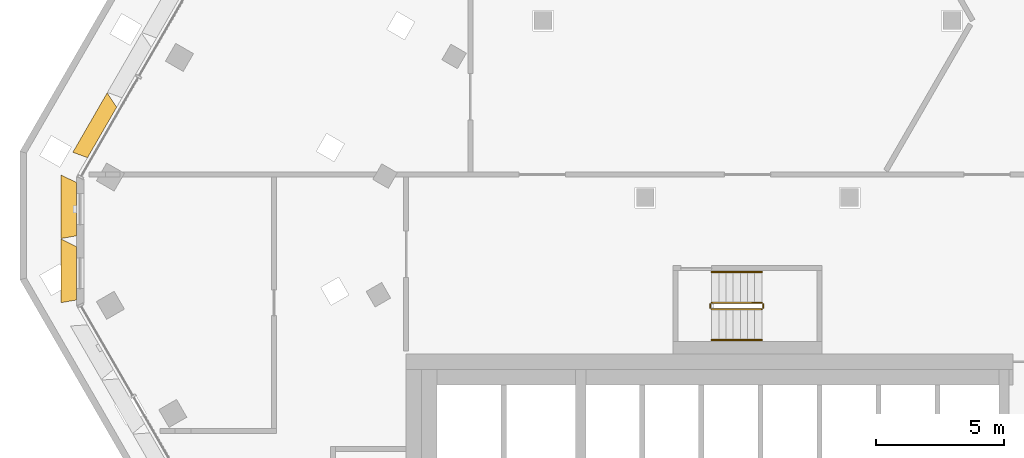
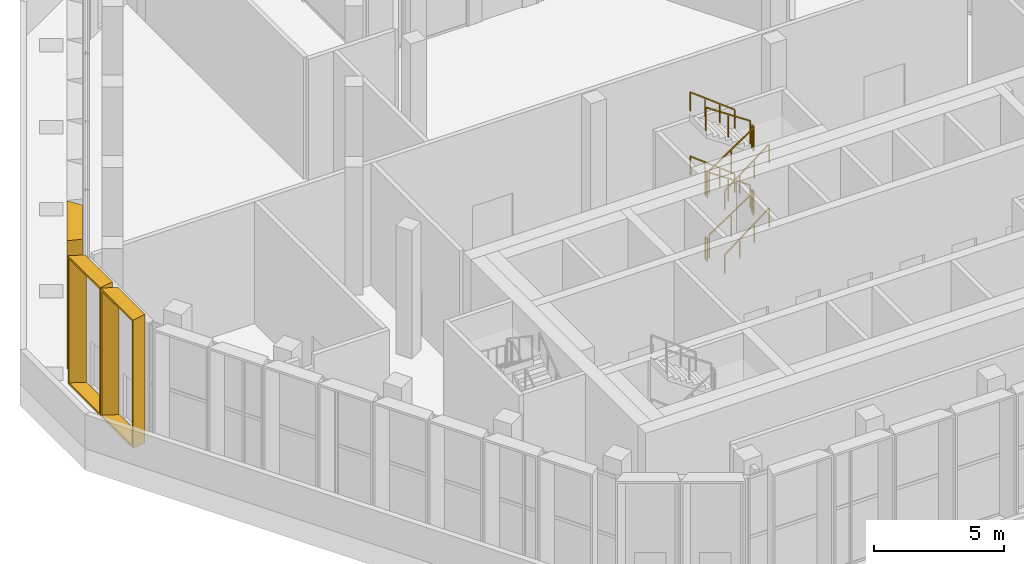
# One storey, part 20 of 23: 12 railings, 3 shading devices.
"""IFC4 building model written with IfcOpenShell, lengths in metres."""

import ifcopenshell
import ifcopenshell.guid

model = None  # the IFC model being written
_history = None  # IfcOwnerHistory: only IFC2X3 demands one
_inside = {}  # id of a spatial element -> (the spatial element, [elements in it])
_under = {}  # id of a project, library or spatial element -> (it, [spatial elements below it])
_declared = {}  # id of a project -> (the project, [libraries it declares])
_typed = {}  # id of a type object -> (the type object, [elements of that type])
_made_of = {}  # id of a material, layer set ... -> (it, [elements and type objects made of it])


def new_model(schema):
    """Start an empty IFC model of exactly this schema.

    Asked for "IFC4X3", IfcOpenShell would pick the latest addendum, in which some entities
    have other attributes; the version numbers below select the first issue.
    IFC2X3 requires an IfcOwnerHistory on every rooted entity: one is made here for all.
    """
    global model, _history
    if schema == "IFC4X3":
        model = ifcopenshell.file(schema_version=(4, 3, 0, 0))
    else:
        model = ifcopenshell.file(schema=schema)
    _inside.clear()
    _under.clear()
    _declared.clear()
    _typed.clear()
    _made_of.clear()
    _history = None
    if model.schema == "IFC2X3":
        org = make("IfcOrganization", Name="unknown")
        user = make(
            "IfcPersonAndOrganization",
            ThePerson=make("IfcPerson", FamilyName="unknown"),
            TheOrganization=org,
        )
        app = make(
            "IfcApplication",
            ApplicationDeveloper=org,
            Version="unknown",
            ApplicationFullName="unknown",
            ApplicationIdentifier="unknown",
        )
        _history = make(
            "IfcOwnerHistory",
            OwningUser=user,
            OwningApplication=app,
            ChangeAction="ADDED",
            CreationDate=0,
        )
    return model


def make(cls, **values):
    """One entity of the class cls with the attributes given. An attribute that is None is left unset."""
    return model.create_entity(
        cls, **{name: value for name, value in values.items() if value is not None}
    )


def entity(cls, *values):
    """Any entity or typed value of the class cls, its attributes in the order of the schema. None: left unset."""
    e = model.create_entity(cls)
    for i, value in enumerate(values):
        if value is not None:
            e[i] = value
    return e


def rooted(cls, **values):
    """An entity with a GlobalId (a new one), such as an element, a storey or a relation."""
    return make(cls, GlobalId=ifcopenshell.guid.new(), OwnerHistory=_history, **values)


def si_unit(unit_type, name, prefix=None):
    """IfcSIUnit, for example si_unit("LENGTHUNIT", "METRE", prefix="MILLI")."""
    return make("IfcSIUnit", UnitType=unit_type, Prefix=prefix, Name=name)


def assignment(units):
    """IfcUnitAssignment: the units of a project."""
    return None if units is None else make("IfcUnitAssignment", Units=units)


def point(xyz):
    """IfcCartesianPoint."""
    return None if xyz is None else make("IfcCartesianPoint", Coordinates=xyz)


def direction(xyz):
    """IfcDirection."""
    return None if xyz is None else make("IfcDirection", DirectionRatios=xyz)


def frame(location, z_axis=None, x_axis=None):
    """IfcAxis2Placement3D, a coordinate frame: its origin and axes. An axis left out is left unset."""
    return make(
        "IfcAxis2Placement3D",
        Location=point(location),
        Axis=direction(z_axis),
        RefDirection=direction(x_axis),
    )


def frame_2d(location, x_axis=None):
    """IfcAxis2Placement2D, a coordinate frame in the plane: its origin and x axis."""
    return make(
        "IfcAxis2Placement2D", Location=point(location), RefDirection=direction(x_axis)
    )


def origin():
    """The frame at (0, 0, 0) with its axes left unset."""
    return frame((0.0, 0.0, 0.0))


def origin_2d():
    """The frame at (0, 0) in the plane with its x axis left unset."""
    return frame_2d((0.0, 0.0))


def place(relative_to, where):
    """IfcLocalPlacement: puts the frame where relative to a parent placement (None: the world)."""
    return make(
        "IfcLocalPlacement", PlacementRelTo=relative_to, RelativePlacement=where
    )


def context(
    kind, dimensions, precision=None, world=None, true_north=None, identifier=None
):
    """IfcGeometricRepresentationContext, for example the 3D "Model" context."""
    return make(
        "IfcGeometricRepresentationContext",
        ContextIdentifier=identifier,
        ContextType=kind,
        CoordinateSpaceDimension=dimensions,
        Precision=precision,
        WorldCoordinateSystem=world,
        TrueNorth=true_north,
    )


def subcontext(parent, identifier, kind, view, scale=None):
    """IfcGeometricRepresentationSubContext, for example "Body" below "Model"."""
    return make(
        "IfcGeometricRepresentationSubContext",
        ContextIdentifier=identifier,
        ContextType=kind,
        ParentContext=parent,
        TargetScale=scale,
        TargetView=view,
    )


def project(units=None, contexts=None):
    """IfcProject with its units and contexts."""
    return rooted(
        "IfcProject",
        Name="project",
        RepresentationContexts=contexts,
        UnitsInContext=assignment(units),
    )


def spatial(cls, under=None, at=None, **own):
    """A site, building, storey or space (cls), placed at a placement, below another one or the project."""
    s = rooted(cls, ObjectPlacement=at, **own)
    if under is not None:
        _under.setdefault(under.id(), (under, []))[1].append(s)
    return s


def profile(cls, at=None, kind="AREA", **sizes):
    """A parametric profile (cls). Its sizes go by their IFC names, for example OverallWidth=200.0."""
    return make(cls, ProfileType=kind, Position=at, **sizes)


def rectangle(**sizes):
    """IfcRectangleProfileDef."""
    return profile("IfcRectangleProfileDef", **sizes)


def extrude(swept, where, along, depth):
    """IfcExtrudedAreaSolid: the profile swept, set in the frame where, extruded along a direction by depth."""
    return make(
        "IfcExtrudedAreaSolid",
        SweptArea=swept,
        Position=where,
        ExtrudedDirection=direction(along),
        Depth=depth,
    )


def shape(context_of_items, identifier, shape_type, items):
    """IfcShapeRepresentation: the items that make up one representation, for example the "Body"."""
    return make(
        "IfcShapeRepresentation",
        ContextOfItems=context_of_items,
        RepresentationIdentifier=identifier,
        RepresentationType=shape_type,
        Items=items,
    )


def source(mapping_origin, context_of_items, identifier, shape_type, items):
    """IfcRepresentationMap: a shape defined once, which mapped items show again and again."""
    return make(
        "IfcRepresentationMap",
        MappingOrigin=mapping_origin,
        MappedRepresentation=shape(context_of_items, identifier, shape_type, items),
    )


def transform(
    local_origin,
    x_axis=None,
    y_axis=None,
    z_axis=None,
    scale=None,
    scale2=None,
    scale3=None,
    uniform=True,
):
    """IfcCartesianTransformationOperator3D, or its non-uniform kind. x_axis, y_axis, z_axis: its Axis1, 2, 3."""
    if uniform:
        return make(
            "IfcCartesianTransformationOperator3D",
            Axis1=direction(x_axis),
            Axis2=direction(y_axis),
            LocalOrigin=point(local_origin),
            Scale=scale,
            Axis3=direction(z_axis),
        )
    return make(
        "IfcCartesianTransformationOperator3DnonUniform",
        Axis1=direction(x_axis),
        Axis2=direction(y_axis),
        LocalOrigin=point(local_origin),
        Scale=scale,
        Axis3=direction(z_axis),
        Scale2=scale2,
        Scale3=scale3,
    )


def mapped(mapping_source, mapping_target):
    """IfcMappedItem: shows the shape of a source again, moved by a transform."""
    return make(
        "IfcMappedItem", MappingSource=mapping_source, MappingTarget=mapping_target
    )


def material(Name=None, Category=None):
    """IfcMaterial."""
    return make("IfcMaterial", Name=Name, Category=Category)


def made_of(thing, what):
    """Note that an element or type object is made of a material, layer set ...; save() writes the relation."""
    if what is not None:
        _made_of.setdefault(what.id(), (what, []))[1].append(thing)
    return thing


def type_object(cls, material=None, **own):
    """A type object (cls), such as IfcWallType, which elements share."""
    return made_of(rooted(cls, **own), material)


def type_shapes(of_type, sources):
    """Give a type object the sources (RepresentationMaps) that its elements show as mapped items."""
    of_type.RepresentationMaps = sources


def element(
    cls,
    number,
    at=None,
    inside=None,
    cuts=None,
    type_object=None,
    material=None,
    context=None,
    identifier="Body",
    shape_type=None,
    held_by="IfcProductDefinitionShape",
    body=None,
    shapes=None,
    **own,
):
    """One element of the class cls, such as IfcWall. Its Tag is "e" and its number.

    at: its placement. inside: the storey or other place that contains it. cuts: it is an
    opening in that element (IfcRelVoidsElement). A single representation is given by context,
    identifier, shape_type and body (its items); several are given by shapes. held_by: the class
    of the entity that holds the representations. save() writes the other relations.
    """
    e = rooted(cls, Tag="e%d" % number, ObjectPlacement=at, **own)
    if body is not None:
        shapes = [shape(context, identifier, shape_type, body)]
    if shapes is not None:
        e.Representation = make(held_by, Representations=shapes)
    if inside is not None:
        _inside.setdefault(inside.id(), (inside, []))[1].append(e)
    if cuts is not None:
        rooted(
            "IfcRelVoidsElement", RelatingBuildingElement=cuts, RelatedOpeningElement=e
        )
    if type_object is not None:
        _typed.setdefault(type_object.id(), (type_object, []))[1].append(e)
    return made_of(e, material)


def aggregate(whole, parts):
    """IfcRelAggregates: a whole, such as a stair, and the parts it consists of."""
    return rooted("IfcRelAggregates", RelatingObject=whole, RelatedObjects=parts)


def save(model, path):
    """Write the relations noted so far, then the file.

    IfcRelAggregates (storeys below a building ...), IfcRelContainedInSpatialStructure (elements
    in a storey), IfcRelDefinesByType, IfcRelAssociatesMaterial and IfcRelDeclares: one each for
    every whole, place, type object, material and project.
    """
    for whole, parts in _under.values():
        aggregate(whole, parts)
    for where, things in _inside.values():
        rooted(
            "IfcRelContainedInSpatialStructure",
            RelatedElements=things,
            RelatingStructure=where,
        )
    for kind, things in _typed.values():
        rooted("IfcRelDefinesByType", RelatedObjects=things, RelatingType=kind)
    for what, things in _made_of.values():
        rooted("IfcRelAssociatesMaterial", RelatedObjects=things, RelatingMaterial=what)
    for by, libraries in _declared.values():
        rooted("IfcRelDeclares", RelatingContext=by, RelatedDefinitions=libraries)
    model.write(path)


model = new_model("IFC4")

# Units and contexts
model_context = context("Model", 3, precision=1e-05, world=origin(), true_north=direction((0.0, 1.0)))
body_context = subcontext(model_context, "Body", "Model", "MODEL_VIEW")
ifc_project = project(units=[si_unit("LENGTHUNIT", "METRE"), si_unit("AREAUNIT", "SQUARE_METRE"), si_unit("VOLUMEUNIT", "CUBIC_METRE"), si_unit("PLANEANGLEUNIT", "RADIAN"), si_unit("MASSUNIT", "GRAM", prefix="KILO")], contexts=[model_context])

# Site, building, storey
site_placement = place(None, origin())
site = spatial("IfcSite", under=ifc_project, at=site_placement, CompositionType="ELEMENT")
building_placement = place(site_placement, origin())
building = spatial("IfcBuilding", under=site, at=building_placement, Name="Beryl Residences", CompositionType="ELEMENT")
storey_placement = place(building_placement, frame((0.0, 0.0, 157.199951171875)))
storey = spatial("IfcBuildingStorey", under=building, at=storey_placement, Name="L48", CompositionType="ELEMENT", Elevation=157.199951171875)

# Shading devices
ifc_material_1 = material(Name="Aluminium pale anodised", Category="aluminium")
shading_device_type_1 = type_object("IfcShadingDeviceType", Name="FR250-60B-H60 OUTER SKIN frame 600 mm deep, splay 26/10 deg, 2500 x 6000 mm cell", PredefinedType="USERDEFINED", material=ifc_material_1)
cartesian_point_1 = entity("IfcCartesianPoint", [-1.04052734375, 0.0])
cartesian_point_2 = entity("IfcCartesianPoint", [-0.951416015625, 0.10009765625])
cartesian_point_3 = entity("IfcCartesianPoint", [-1.333251953125, 0.0])
cartesian_point_4 = entity("IfcCartesianPoint", [-1.244140625, 0.10009765625])
shared_shape_1 = source(origin(), body_context, "Body", "SweptSolid", [
    entity("IfcExtrudedAreaSolidTapered", entity("IfcArbitraryProfileDefWithVoids", "AREA", None, entity("IfcPolyline", [cartesian_point_1, entity("IfcCartesianPoint", [1.04052734375, 0.0]), entity("IfcCartesianPoint", [1.04052734375, 6.0]), entity("IfcCartesianPoint", [-1.04052734375, 6.0]), cartesian_point_1]), [entity("IfcPolyline", [cartesian_point_2, entity("IfcCartesianPoint", [0.959228515625, 0.10009765625]), entity("IfcCartesianPoint", [0.959228515625, 5.89990234375]), entity("IfcCartesianPoint", [-0.951416015625, 5.89990234375]), cartesian_point_2])]), entity("IfcAxis2Placement3D", entity("IfcCartesianPoint", [0.0, 0.0, 0.0]), entity("IfcDirection", [0.0, 1.0, 0.0]), entity("IfcDirection", [-1.0, 0.0, 0.0])), entity("IfcDirection", [0.0, 0.0, 1.0]), 0.60009765625, entity("IfcArbitraryProfileDefWithVoids", "AREA", None, entity("IfcPolyline", [cartesian_point_3, entity("IfcCartesianPoint", [1.146240234375, 0.0]), entity("IfcCartesianPoint", [1.146240234375, 6.0]), entity("IfcCartesianPoint", [-1.333251953125, 6.0]), cartesian_point_3]), [entity("IfcPolyline", [cartesian_point_4, entity("IfcCartesianPoint", [1.06494140625, 0.10009765625]), entity("IfcCartesianPoint", [1.06494140625, 5.89990234375]), entity("IfcCartesianPoint", [-1.244140625, 5.89990234375]), cartesian_point_4])])),
])
type_shapes(shading_device_type_1, [shared_shape_1])
for number, where, z_axis, x_axis, name in (
    (1, (-26.154052734375, 0.64990234375, 0.0), (0.0, 0.0, 1.0), (0.0, 1.0, 0.0), "FR250-60B-H60 frame L48 NW-SW 1"),
    (2, (-26.154052734375, -1.85009765625, 0.0), (0.0, 0.0, 1.0), (0.0, 1.0, 0.0), "FR250-60B-H60 frame L48 NW-SW 2"),
):
    element("IfcShadingDevice", number, at=place(storey_placement, frame(where, z_axis=z_axis, x_axis=x_axis)), inside=storey, type_object=shading_device_type_1, Name=name, ObjectType="OUTER SKIN", PredefinedType="USERDEFINED", context=body_context, shape_type="MappedRepresentation", body=[
        mapped(shared_shape_1, transform((0.0, 0.0, 0.0))),
    ])
ifc_material_2 = material(Name="Aluminium pale anodised", Category="aluminium")
shading_device_type_2 = type_object("IfcShadingDeviceType", Name="FR269-60B-H60 OUTER SKIN frame 600 mm deep, splay 26/10 deg, 2690 x 6000 mm cell", PredefinedType="USERDEFINED", material=ifc_material_2)
cartesian_point_5 = entity("IfcCartesianPoint", [-1.135498046875, 0.0])
cartesian_point_6 = entity("IfcCartesianPoint", [-1.04638671875, 0.10009765625])
cartesian_point_7 = entity("IfcCartesianPoint", [-1.42822265625, 0.0])
cartesian_point_8 = entity("IfcCartesianPoint", [-1.339111328125, 0.10009765625])
shared_shape_2 = source(origin(), body_context, "Body", "SweptSolid", [
    entity("IfcExtrudedAreaSolidTapered", entity("IfcArbitraryProfileDefWithVoids", "AREA", None, entity("IfcPolyline", [cartesian_point_5, entity("IfcCartesianPoint", [1.135498046875, 0.0]), entity("IfcCartesianPoint", [1.135498046875, 6.0]), entity("IfcCartesianPoint", [-1.135498046875, 6.0]), cartesian_point_5]), [entity("IfcPolyline", [cartesian_point_6, entity("IfcCartesianPoint", [1.05419921875, 0.10009765625]), entity("IfcCartesianPoint", [1.05419921875, 5.89990234375]), entity("IfcCartesianPoint", [-1.04638671875, 5.89990234375]), cartesian_point_6])]), entity("IfcAxis2Placement3D", entity("IfcCartesianPoint", [0.0, 0.0, 0.0]), entity("IfcDirection", [0.0, 1.0, 0.0]), entity("IfcDirection", [-1.0, 0.0, 0.0])), entity("IfcDirection", [0.0, 0.0, 1.0]), 0.60009765625, entity("IfcArbitraryProfileDefWithVoids", "AREA", None, entity("IfcPolyline", [cartesian_point_7, entity("IfcCartesianPoint", [1.2412109375, 0.0]), entity("IfcCartesianPoint", [1.2412109375, 6.0]), entity("IfcCartesianPoint", [-1.42822265625, 6.0]), cartesian_point_7]), [entity("IfcPolyline", [cartesian_point_8, entity("IfcCartesianPoint", [1.16015625, 0.10009765625]), entity("IfcCartesianPoint", [1.16015625, 5.89990234375]), entity("IfcCartesianPoint", [-1.339111328125, 5.89990234375]), cartesian_point_8])])),
])
type_shapes(shading_device_type_2, [shared_shape_2])
shading_device_placement = place(storey_placement, frame((-25.14892578125, 3.639892578125, 0.0), z_axis=(0.0, 0.0, 1.0), x_axis=(0.5, 0.866025403784, 0.0)))
element("IfcShadingDevice", 3, at=shading_device_placement, inside=storey, type_object=shading_device_type_2, Name="FR269-60B-H60 frame L48 NW 8", ObjectType="OUTER SKIN", PredefinedType="USERDEFINED", context=body_context, shape_type="MappedRepresentation", body=[
    mapped(shared_shape_2, transform((0.0, 0.0, 0.0))),
])

# Railings
ifc_material_3 = material(Name="Stainless steel balustrade with glass infill", Category="steel")
railing_type_1 = type_object("IfcRailingType", Name="SG1 stair guard 1100 mm", PredefinedType="GUARDRAIL", material=ifc_material_3)
railing_1_placement = place(storey_placement, frame((-1.39990234375, -3.25, 0.1875)))
element("IfcRailing", 4, at=railing_1_placement, inside=storey, type_object=railing_type_1, Name="L48 ST-4 stair guard 1", PredefinedType="GUARDRAIL", context=body_context, shape_type="SweptSolid", body=[
    extrude(rectangle(XDim=0.048095703125, YDim=0.048095703125, at=origin_2d()), frame((0.0, 0.0, 1.076171875), z_axis=(0.830902050051, 0.0, 0.556418712142), x_axis=(0.0, 1.0, 0.0)), (0.0, 0.0, 1.0), 2.35888671875),
    extrude(rectangle(XDim=0.0419921875, YDim=0.0419921875, at=origin_2d()), origin(), (0.0, 0.0, 1.0), 1.052001953125),
    extrude(rectangle(XDim=0.0419921875, YDim=0.0419921875, at=origin_2d()), frame((0.97998046875, 0.0, 0.65625)), (0.0, 0.0, 1.0), 1.052001953125),
    extrude(rectangle(XDim=0.0419921875, YDim=0.0419921875, at=origin_2d()), frame((1.9599609375, 0.0, 1.3125)), (0.0, 0.0, 1.0), 1.052001953125),
])
railing_2_placement = place(storey_placement, frame((0.610107421875, -3.199951171875, 1.5)))
element("IfcRailing", 5, at=railing_2_placement, inside=storey, type_object=railing_type_1, Name="L48 ST-4 stair guard 2", PredefinedType="GUARDRAIL", context=body_context, shape_type="SweptSolid", body=[
    extrude(rectangle(XDim=0.048095703125, YDim=0.048095703125, at=origin_2d()), frame((0.0, 0.0, 1.076171875), z_axis=(0.0, 1.0, 0.0), x_axis=(-1.0, 0.0, 0.0)), (0.0, 0.0, 1.0), 0.14990234375),
    extrude(rectangle(XDim=0.0419921875, YDim=0.0419921875, at=origin_2d()), origin(), (0.0, 0.0, 1.0), 1.052001953125),
    extrude(rectangle(XDim=0.0419921875, YDim=0.0419921875, at=origin_2d()), frame((0.0, 0.14990234375, 0.0)), (0.0, 0.0, 1.0), 1.052001953125),
])
railing_3_placement = place(storey_placement, frame((0.56005859375, -3.0, 1.6875)))
element("IfcRailing", 6, at=railing_3_placement, inside=storey, type_object=railing_type_1, Name="L48 ST-4 stair guard 3", PredefinedType="GUARDRAIL", context=body_context, shape_type="SweptSolid", body=[
    extrude(rectangle(XDim=0.048095703125, YDim=0.048095703125, at=origin_2d()), frame((0.0, 0.0, 1.076171875), z_axis=(-0.830902050051, 0.0, 0.556418712142), x_axis=(0.0, -1.0, 0.0)), (0.0, 0.0, 1.0), 2.35888671875),
    extrude(rectangle(XDim=0.0419921875, YDim=0.0419921875, at=origin_2d()), origin(), (0.0, 0.0, 1.0), 1.052001953125),
    extrude(rectangle(XDim=0.0419921875, YDim=0.0419921875, at=origin_2d()), frame((-0.97998046875, 0.0, 0.65625)), (0.0, 0.0, 1.0), 1.052001953125),
    extrude(rectangle(XDim=0.0419921875, YDim=0.0419921875, at=origin_2d()), frame((-1.9599609375, 0.0, 1.3125)), (0.0, 0.0, 1.0), 1.052001953125),
])
railing_4_placement = place(storey_placement, frame((-1.449951171875, -3.199951171875, 3.0)))
element("IfcRailing", 7, at=railing_4_placement, inside=storey, type_object=railing_type_1, Name="L48 ST-4 stair guard 4", PredefinedType="GUARDRAIL", context=body_context, shape_type="SweptSolid", body=[
    extrude(rectangle(XDim=0.048095703125, YDim=0.048095703125, at=origin_2d()), frame((0.0, 0.0, 1.076171875), z_axis=(0.0, 1.0, 0.0), x_axis=(-1.0, 0.0, 0.0)), (0.0, 0.0, 1.0), 0.14990234375),
    extrude(rectangle(XDim=0.0419921875, YDim=0.0419921875, at=origin_2d()), origin(), (0.0, 0.0, 1.0), 1.052001953125),
    extrude(rectangle(XDim=0.0419921875, YDim=0.0419921875, at=origin_2d()), frame((0.0, 0.14990234375, 0.0)), (0.0, 0.0, 1.0), 1.052001953125),
])
railing_5_placement = place(storey_placement, frame((-1.39990234375, -3.25, 3.1875)))
element("IfcRailing", 8, at=railing_5_placement, inside=storey, type_object=railing_type_1, Name="L48 ST-4 stair guard 5", PredefinedType="GUARDRAIL", context=body_context, shape_type="SweptSolid", body=[
    extrude(rectangle(XDim=0.048095703125, YDim=0.048095703125, at=origin_2d()), frame((0.0, 0.0, 1.076171875), z_axis=(0.830902050051, 0.0, 0.556418712142), x_axis=(0.0, 1.0, 0.0)), (0.0, 0.0, 1.0), 2.35888671875),
    extrude(rectangle(XDim=0.0419921875, YDim=0.0419921875, at=origin_2d()), origin(), (0.0, 0.0, 1.0), 1.052001953125),
    extrude(rectangle(XDim=0.0419921875, YDim=0.0419921875, at=origin_2d()), frame((0.97998046875, 0.0, 0.65625)), (0.0, 0.0, 1.0), 1.052001953125),
    extrude(rectangle(XDim=0.0419921875, YDim=0.0419921875, at=origin_2d()), frame((1.9599609375, 0.0, 1.3125)), (0.0, 0.0, 1.0), 1.052001953125),
])
railing_6_placement = place(storey_placement, frame((0.610107421875, -3.199951171875, 4.5)))
element("IfcRailing", 9, at=railing_6_placement, inside=storey, type_object=railing_type_1, Name="L48 ST-4 stair guard 6", PredefinedType="GUARDRAIL", context=body_context, shape_type="SweptSolid", body=[
    extrude(rectangle(XDim=0.048095703125, YDim=0.048095703125, at=origin_2d()), frame((0.0, 0.0, 1.076171875), z_axis=(0.0, 1.0, 0.0), x_axis=(-1.0, 0.0, 0.0)), (0.0, 0.0, 1.0), 0.14990234375),
    extrude(rectangle(XDim=0.0419921875, YDim=0.0419921875, at=origin_2d()), origin(), (0.0, 0.0, 1.0), 1.052001953125),
    extrude(rectangle(XDim=0.0419921875, YDim=0.0419921875, at=origin_2d()), frame((0.0, 0.14990234375, 0.0)), (0.0, 0.0, 1.0), 1.052001953125),
])
railing_7_placement = place(storey_placement, frame((0.56005859375, -3.0, 4.6875)))
element("IfcRailing", 10, at=railing_7_placement, inside=storey, type_object=railing_type_1, Name="L48 ST-4 stair guard 7", PredefinedType="GUARDRAIL", context=body_context, shape_type="SweptSolid", body=[
    extrude(rectangle(XDim=0.048095703125, YDim=0.048095703125, at=origin_2d()), frame((0.0, 0.0, 1.076171875), z_axis=(-0.830902050051, 0.0, 0.556418712142), x_axis=(0.0, -1.0, 0.0)), (0.0, 0.0, 1.0), 2.35888671875),
    extrude(rectangle(XDim=0.0419921875, YDim=0.0419921875, at=origin_2d()), origin(), (0.0, 0.0, 1.0), 1.052001953125),
    extrude(rectangle(XDim=0.0419921875, YDim=0.0419921875, at=origin_2d()), frame((-0.97998046875, 0.0, 0.65625)), (0.0, 0.0, 1.0), 1.052001953125),
    extrude(rectangle(XDim=0.0419921875, YDim=0.0419921875, at=origin_2d()), frame((-1.9599609375, 0.0, 1.3125)), (0.0, 0.0, 1.0), 1.052001953125),
])
railing_8_placement = place(storey_placement, frame((-1.449951171875, -3.199951171875, 0.0)))
element("IfcRailing", 11, at=railing_8_placement, inside=storey, type_object=railing_type_1, Name="L48 ST-4 stair guard 8", PredefinedType="GUARDRAIL", context=body_context, shape_type="SweptSolid", body=[
    extrude(rectangle(XDim=0.048095703125, YDim=0.048095703125, at=origin_2d()), frame((0.0, 0.0, 1.076171875), z_axis=(0.0, 1.0, 0.0), x_axis=(-1.0, 0.0, 0.0)), (0.0, 0.0, 1.0), 0.14990234375),
    extrude(rectangle(XDim=0.0419921875, YDim=0.0419921875, at=origin_2d()), origin(), (0.0, 0.0, 1.0), 1.052001953125),
    extrude(rectangle(XDim=0.0419921875, YDim=0.0419921875, at=origin_2d()), frame((0.0, 0.14990234375, 0.0)), (0.0, 0.0, 1.0), 1.052001953125),
])
ifc_material_4 = material(Name="Stainless steel handrail", Category="steel")
railing_type_2 = type_object("IfcRailingType", Name="SRL1 stair handrail 900 mm", PredefinedType="HANDRAIL", material=ifc_material_4)
railing_9_placement = place(storey_placement, frame((-1.39990234375, -4.449951171875, 0.1875)))
element("IfcRailing", 12, at=railing_9_placement, inside=storey, type_object=railing_type_2, Name="L48 ST-4 stair handrail 1", PredefinedType="HANDRAIL", context=body_context, shape_type="SweptSolid", body=[
    extrude(rectangle(XDim=0.048095703125, YDim=0.048095703125, at=origin_2d()), frame((0.0, 0.0, 0.8759765625), z_axis=(0.794121922505, 0.0, 0.607758481798), x_axis=(0.0, 1.0, 0.0)), (0.0, 0.0, 1.0), 2.468017578125),
    extrude(rectangle(XDim=0.0419921875, YDim=0.0419921875, at=origin_2d()), origin(), (0.0, 0.0, 1.0), 0.851806640625),
    extrude(rectangle(XDim=0.0419921875, YDim=0.0419921875, at=origin_2d()), frame((0.6533203125, 0.0, 0.5)), (0.0, 0.0, 1.0), 0.851806640625),
    extrude(rectangle(XDim=0.0419921875, YDim=0.0419921875, at=origin_2d()), frame((1.306640625, 0.0, 1.0)), (0.0, 0.0, 1.0), 0.851806640625),
    extrude(rectangle(XDim=0.0419921875, YDim=0.0419921875, at=origin_2d()), frame((1.9599609375, 0.0, 1.5)), (0.0, 0.0, 1.0), 0.851806640625),
])
railing_10_placement = place(storey_placement, frame((0.56005859375, -1.800048828125, 1.6875)))
element("IfcRailing", 13, at=railing_10_placement, inside=storey, type_object=railing_type_2, Name="L48 ST-4 stair handrail 2", PredefinedType="HANDRAIL", context=body_context, shape_type="SweptSolid", body=[
    extrude(rectangle(XDim=0.048095703125, YDim=0.048095703125, at=origin_2d()), frame((0.0, 0.0, 0.8759765625), z_axis=(-0.794121922505, 0.0, 0.607758481798), x_axis=(0.0, -1.0, 0.0)), (0.0, 0.0, 1.0), 2.468017578125),
    extrude(rectangle(XDim=0.0419921875, YDim=0.0419921875, at=origin_2d()), origin(), (0.0, 0.0, 1.0), 0.851806640625),
    extrude(rectangle(XDim=0.0419921875, YDim=0.0419921875, at=origin_2d()), frame((-0.6533203125, 0.0, 0.5)), (0.0, 0.0, 1.0), 0.851806640625),
    extrude(rectangle(XDim=0.0419921875, YDim=0.0419921875, at=origin_2d()), frame((-1.306640625, 0.0, 1.0)), (0.0, 0.0, 1.0), 0.851806640625),
    extrude(rectangle(XDim=0.0419921875, YDim=0.0419921875, at=origin_2d()), frame((-1.9599609375, 0.0, 1.5)), (0.0, 0.0, 1.0), 0.851806640625),
])
railing_11_placement = place(storey_placement, frame((-1.39990234375, -4.449951171875, 3.1875)))
element("IfcRailing", 14, at=railing_11_placement, inside=storey, type_object=railing_type_2, Name="L48 ST-4 stair handrail 3", PredefinedType="HANDRAIL", context=body_context, shape_type="SweptSolid", body=[
    extrude(rectangle(XDim=0.048095703125, YDim=0.048095703125, at=origin_2d()), frame((0.0, 0.0, 0.8759765625), z_axis=(0.794121922505, 0.0, 0.607758481798), x_axis=(0.0, 1.0, 0.0)), (0.0, 0.0, 1.0), 2.468017578125),
    extrude(rectangle(XDim=0.0419921875, YDim=0.0419921875, at=origin_2d()), origin(), (0.0, 0.0, 1.0), 0.851806640625),
    extrude(rectangle(XDim=0.0419921875, YDim=0.0419921875, at=origin_2d()), frame((0.6533203125, 0.0, 0.5)), (0.0, 0.0, 1.0), 0.851806640625),
    extrude(rectangle(XDim=0.0419921875, YDim=0.0419921875, at=origin_2d()), frame((1.306640625, 0.0, 1.0)), (0.0, 0.0, 1.0), 0.851806640625),
    extrude(rectangle(XDim=0.0419921875, YDim=0.0419921875, at=origin_2d()), frame((1.9599609375, 0.0, 1.5)), (0.0, 0.0, 1.0), 0.851806640625),
])
railing_12_placement = place(storey_placement, frame((0.56005859375, -1.800048828125, 4.6875)))
element("IfcRailing", 15, at=railing_12_placement, inside=storey, type_object=railing_type_2, Name="L48 ST-4 stair handrail 4", PredefinedType="HANDRAIL", context=body_context, shape_type="SweptSolid", body=[
    extrude(rectangle(XDim=0.048095703125, YDim=0.048095703125, at=origin_2d()), frame((0.0, 0.0, 0.8759765625), z_axis=(-0.794121922505, 0.0, 0.607758481798), x_axis=(0.0, -1.0, 0.0)), (0.0, 0.0, 1.0), 2.468017578125),
    extrude(rectangle(XDim=0.0419921875, YDim=0.0419921875, at=origin_2d()), origin(), (0.0, 0.0, 1.0), 0.851806640625),
    extrude(rectangle(XDim=0.0419921875, YDim=0.0419921875, at=origin_2d()), frame((-0.6533203125, 0.0, 0.5)), (0.0, 0.0, 1.0), 0.851806640625),
    extrude(rectangle(XDim=0.0419921875, YDim=0.0419921875, at=origin_2d()), frame((-1.306640625, 0.0, 1.0)), (0.0, 0.0, 1.0), 0.851806640625),
    extrude(rectangle(XDim=0.0419921875, YDim=0.0419921875, at=origin_2d()), frame((-1.9599609375, 0.0, 1.5)), (0.0, 0.0, 1.0), 0.851806640625),
])

save(model, "model.ifc")
